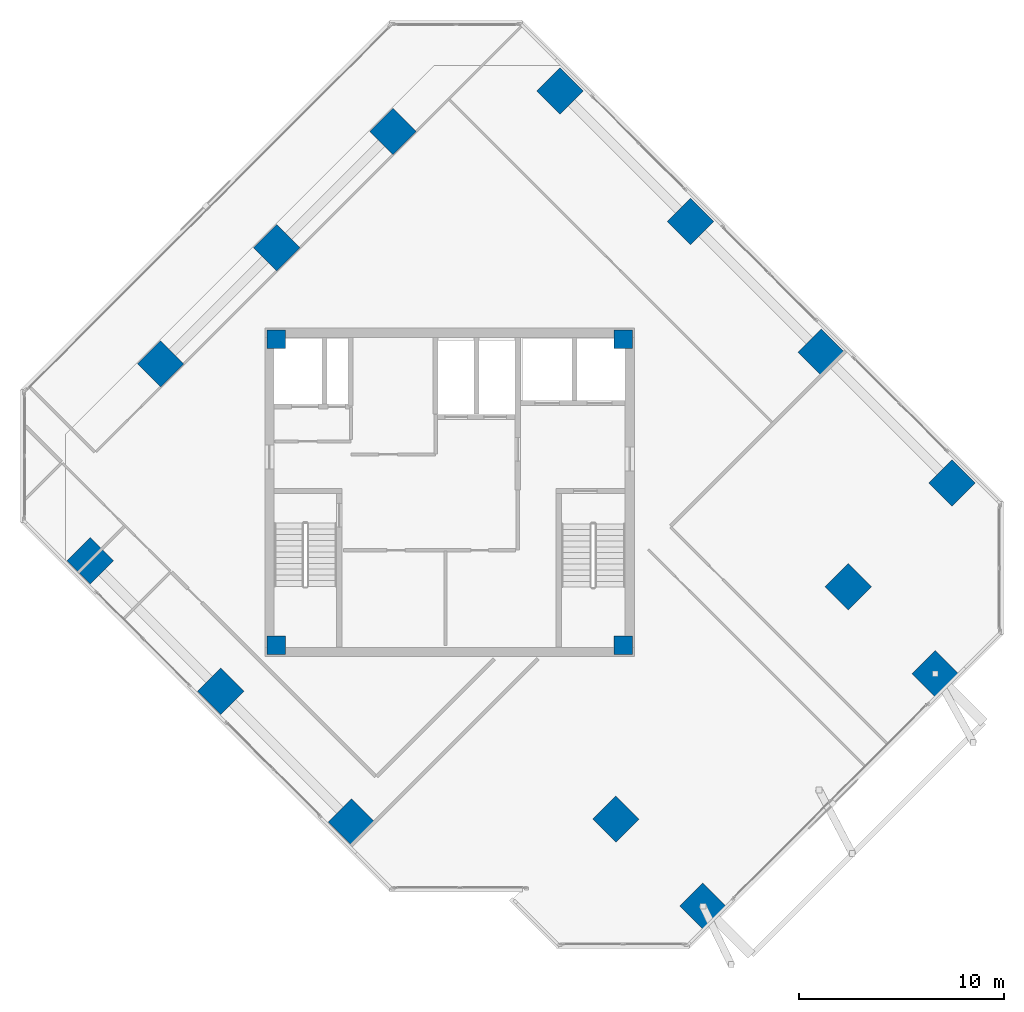
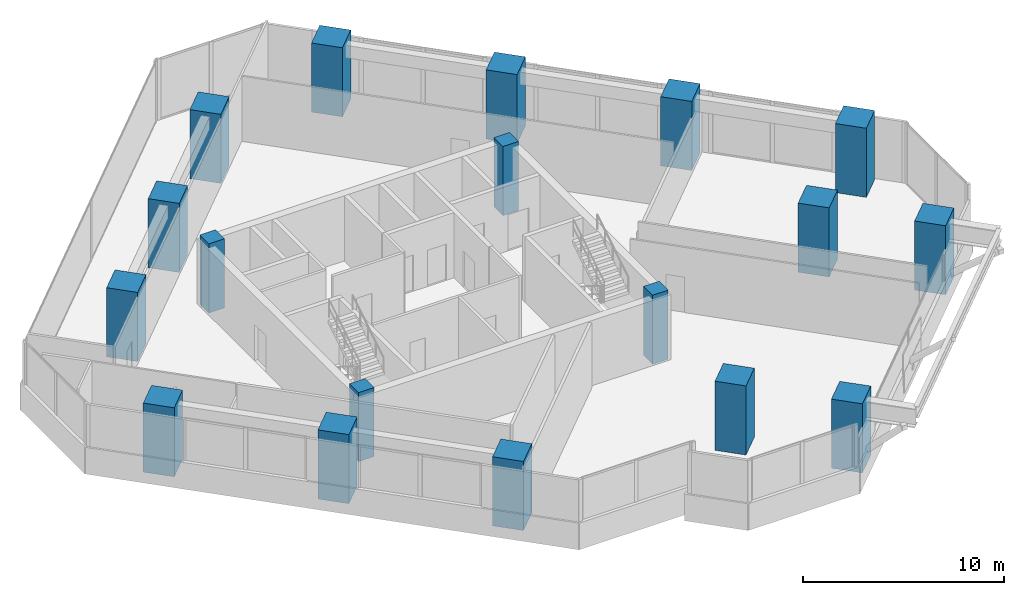
# One storey, part 1 of 17: 18 columns.
"""IFC4 building model written with IfcOpenShell, lengths in metres."""

from ifc_helpers import new_model, si_unit, direction, frame, origin, origin_2d, place, context, subcontext, project, spatial, rectangle, extrude, source, transform, mapped, material, material_profile, profile_set, type_object, element, save


model = new_model("IFC4")

# Units and contexts
model_context = context("Model", 3, precision=1e-05, world=origin(), true_north=direction((0.0, 1.0)))
body_context = subcontext(model_context, "Body", "Model", "MODEL_VIEW")
ifc_project = project(units=[si_unit("LENGTHUNIT", "METRE"), si_unit("AREAUNIT", "SQUARE_METRE"), si_unit("VOLUMEUNIT", "CUBIC_METRE"), si_unit("PLANEANGLEUNIT", "RADIAN"), si_unit("MASSUNIT", "GRAM", prefix="KILO")], contexts=[model_context])

# Site, building, storey
site_placement = place(None, origin())
site = spatial("IfcSite", under=ifc_project, at=site_placement, CompositionType="ELEMENT")
building_placement = place(site_placement, origin())
building = spatial("IfcBuilding", under=site, at=building_placement, Name="Torre Montelarca", CompositionType="ELEMENT")
storey_placement = place(building_placement, frame((0.0, 0.0, 250.0)))
storey = spatial("IfcBuildingStorey", under=building, at=storey_placement, Name="L56", CompositionType="ELEMENT", Elevation=250.0)

# Columns
ifc_material_1 = material(Name="Concrete C55/67", Category="concrete")
ifc_material_profile_1 = material_profile(ifc_material_1, rectangle(XDim=0.89990234375, YDim=0.89990234375, at=origin_2d()), Name="RC900X900", Category="concrete")
ifc_profile_set_1 = profile_set([ifc_material_profile_1], Name="Concrete C55/67")
column_type_1 = type_object("IfcColumnType", Name="COL-RC900", PredefinedType="COLUMN", material=ifc_profile_set_1)
shared_shape_1 = source(origin(), body_context, "Body", "SweptSolid", [
    extrude(rectangle(XDim=0.89990234375, YDim=0.89990234375, at=origin_2d()), origin(), (0.0, 0.0, 1.0), 4.198486328125),
])
for number, where, z_axis, x_axis, name in (
    (1, (9.550048828125, 24.550048828125, 0.000732421875), (0.0, 0.0, 1.0), (1.0, 0.0, 0.0), "L56 Plumb Core Corner Column 2D"),
    (2, (26.449951171875, 24.550048828125, 0.000732421875), (0.0, 0.0, 1.0), (1.0, 0.0, 0.0), "L56 Plumb Core Corner Column 4D"),
    (3, (9.550048828125, 39.449951171875, 0.000732421875), (0.0, 0.0, 1.0), (1.0, 0.0, 0.0), "L56 Plumb Core Corner Column 2F"),
    (4, (26.449951171875, 39.449951171875, 0.000732421875), (0.0, 0.0, 1.0), (1.0, 0.0, 0.0), "L56 Plumb Core Corner Column 4F"),
):
    element("IfcColumn", number, at=place(storey_placement, frame(where, z_axis=z_axis, x_axis=x_axis)), inside=storey, type_object=column_type_1, Name=name, PredefinedType="COLUMN", context=body_context, shape_type="MappedRepresentation", body=[
        mapped(shared_shape_1, transform((0.0, 0.0, 0.0), scale=1.0)),
    ])
ifc_material_2 = material(Name="Concrete C70/85", Category="concrete")
ifc_material_profile_2 = material_profile(ifc_material_2, rectangle(XDim=1.60009765625, YDim=1.60009765625, at=origin_2d()), Name="RC1600X1600", Category="concrete")
ifc_profile_set_2 = profile_set([ifc_material_profile_2], Name="Concrete C70/85")
column_type_2 = type_object("IfcColumnType", Name="COL-RC1600-EXT", PredefinedType="COLUMN", material=ifc_profile_set_2)
shared_shape_2 = source(origin(), body_context, "Body", "SweptSolid", [
    extrude(rectangle(XDim=1.60009765625, YDim=1.60009765625, at=origin_2d()), origin(), (0.0, 0.0, 1.0), 4.198486328125),
])
for number, where, z_axis, x_axis, name in (
    (5, (0.498779296875, 28.676513671875, 0.000732421875), (0.0, 0.0, 1.0), (-0.707106781187, 0.707106781187, 0.0), "L56 Perimeter Mega Column 2/CS"),
    (6, (23.373779296875, 51.551513671875, 0.000732421875), (0.0, 0.0, 1.0), (-0.707106781187, 0.707106781187, 0.0), "L56 Perimeter Mega Column 2/GN"),
    (7, (6.86279296875, 22.3125, 0.000732421875), (0.0, 0.0, 1.0), (-0.707106781187, 0.707106781187, 0.0), "L56 Perimeter Mega Column 3/CS"),
    (8, (29.73779296875, 45.1875, 0.000732421875), (0.0, 0.0, 1.0), (-0.707106781187, 0.707106781187, 0.0), "L56 Perimeter Mega Column 3/GN"),
    (9, (13.226806640625, 15.94873046875, 0.000732421875), (0.0, 0.0, 1.0), (-0.707106781187, 0.707106781187, 0.0), "L56 Perimeter Mega Column 4/CS"),
    (10, (36.101806640625, 38.823486328125, 0.000732421875), (0.0, 0.0, 1.0), (-0.707106781187, 0.707106781187, 0.0), "L56 Perimeter Mega Column 4/GN"),
    (11, (42.4658203125, 32.459716796875, 0.000732421875), (0.0, 0.0, 1.0), (-0.707106781187, 0.707106781187, 0.0), "L56 Perimeter Mega Column 5/GN"),
    (12, (30.3388671875, 11.847412109375, 0.000732421875), (0.0, 0.0, 1.0), (-0.707106781187, 0.707106781187, 0.0), "L56 Perimeter Mega Column 6/D"),
    (13, (41.652587890625, 23.1611328125, 0.000732421875), (0.0, 0.0, 1.0), (-0.707106781187, 0.707106781187, 0.0), "L56 Perimeter Mega Column 6/F"),
    (14, (3.928466796875, 38.2578125, 0.000732421875), (0.0, 0.0, 1.0), (-0.707106781187, 0.707106781187, 0.0), "L56 Perimeter Mega Column 1W/D"),
    (15, (9.585205078125, 43.914794921875, 0.000732421875), (0.0, 0.0, 1.0), (-0.707106781187, 0.707106781187, 0.0), "L56 Perimeter Mega Column 1W/E"),
    (16, (15.2421875, 49.571533203125, 0.000732421875), (0.0, 0.0, 1.0), (-0.707106781187, 0.707106781187, 0.0), "L56 Perimeter Mega Column 1W/F"),
):
    element("IfcColumn", number, at=place(storey_placement, frame(where, z_axis=z_axis, x_axis=x_axis)), inside=storey, type_object=column_type_2, Name=name, PredefinedType="COLUMN", context=body_context, shape_type="MappedRepresentation", body=[
        mapped(shared_shape_2, transform((0.0, 0.0, 0.0), scale=1.0)),
    ])
ifc_material_profile_3 = material_profile(ifc_material_2, rectangle(XDim=1.60009765625, YDim=1.60009765625, at=origin_2d()), Name="RC1600X1600", Category="concrete")
ifc_profile_set_3 = profile_set([ifc_material_profile_3], Name="Concrete C70/85")
column_type_3 = type_object("IfcColumnType", Name="COL-RC1600", PredefinedType="COLUMN", material=ifc_profile_set_3)
shared_shape_3 = source(origin(), body_context, "Body", "SweptSolid", [
    extrude(rectangle(XDim=1.60009765625, YDim=1.60009765625, at=origin_2d()), origin(), (0.0, 0.0, 1.0), 4.198486328125),
])
for number, where, z_axis, x_axis, name in (
    (17, (26.09619140625, 16.090087890625, 0.000732421875), (0.0, 0.0, 1.0), (-0.707106781187, 0.707106781187, 0.0), "L56 Column 5/D"),
    (18, (37.409912109375, 27.40380859375, 0.000732421875), (0.0, 0.0, 1.0), (-0.707106781187, 0.707106781187, 0.0), "L56 Column 5/F"),
):
    element("IfcColumn", number, at=place(storey_placement, frame(where, z_axis=z_axis, x_axis=x_axis)), inside=storey, type_object=column_type_3, Name=name, PredefinedType="COLUMN", context=body_context, shape_type="MappedRepresentation", body=[
        mapped(shared_shape_3, transform((0.0, 0.0, 0.0), scale=1.0)),
    ])

save(model, "model.ifc")
